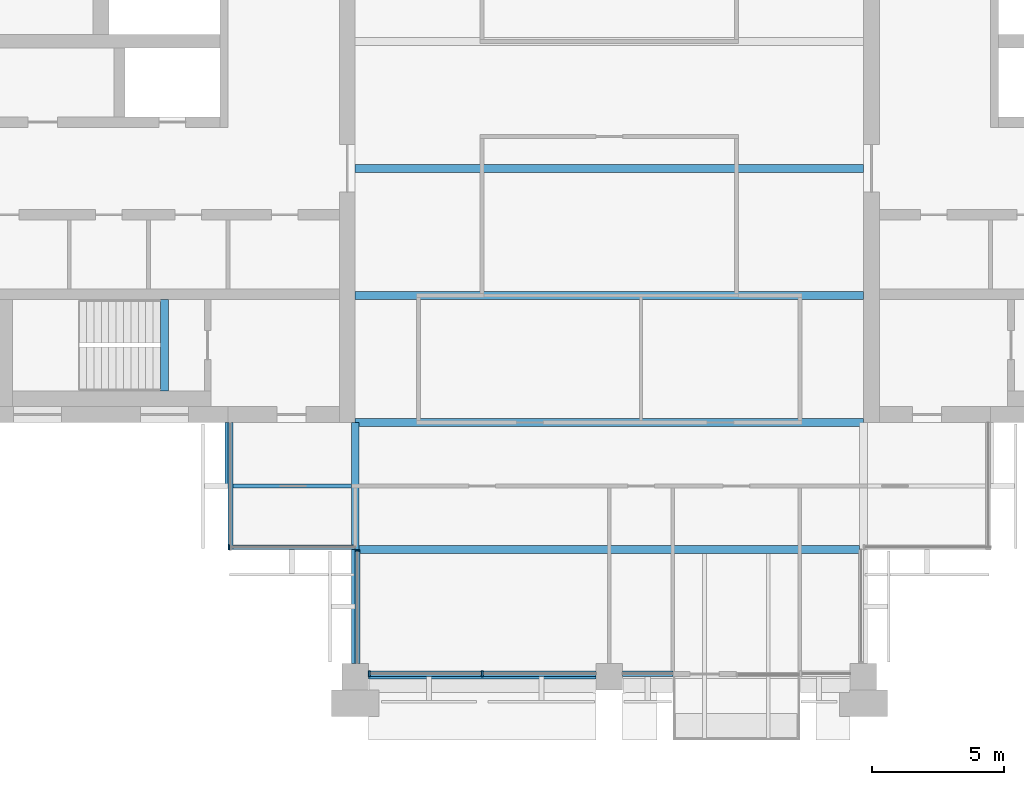
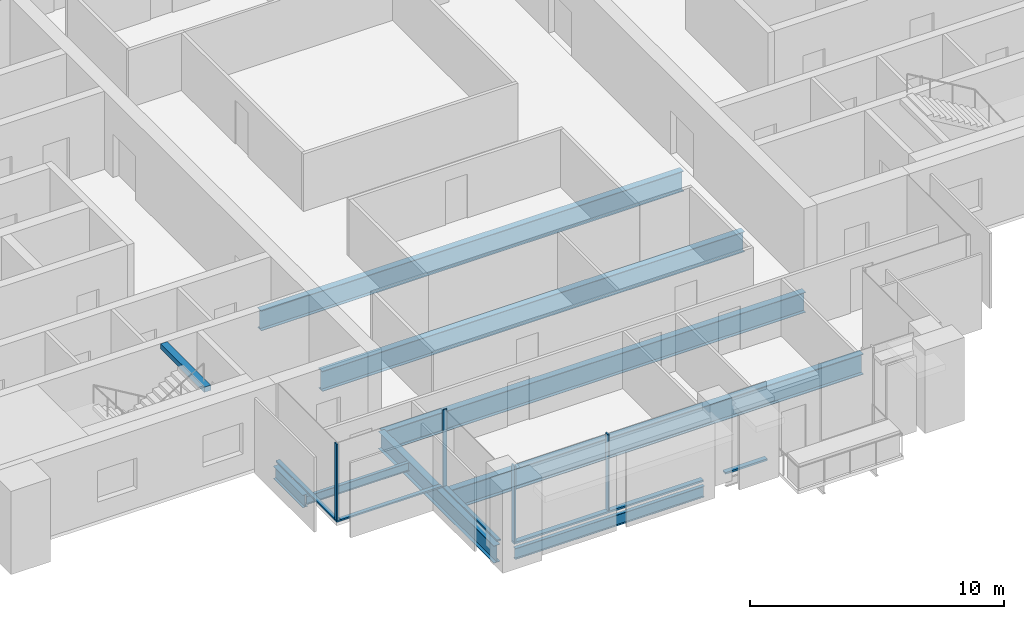
# One storey, part 2 of 13: 9 beams, 9 members, 4 elements without a shape of their own.
"""IFC4 building model written with IfcOpenShell, lengths in metres."""

from ifc_helpers import new_model, si_unit, direction, frame, origin, origin_2d, place, context, subcontext, project, spatial, rectangle, i_section, extrude, material, material_profile, profile_set, type_object, element, aggregate, save


model = new_model("IFC4")

# Units and contexts
model_context = context("Model", 3, precision=1e-05, world=origin(), true_north=direction((0.0, 1.0)))
body_context = subcontext(model_context, "Body", "Model", "MODEL_VIEW")
ifc_project = project(units=[si_unit("LENGTHUNIT", "METRE"), si_unit("AREAUNIT", "SQUARE_METRE"), si_unit("VOLUMEUNIT", "CUBIC_METRE"), si_unit("PLANEANGLEUNIT", "RADIAN"), si_unit("MASSUNIT", "GRAM", prefix="KILO")], contexts=[model_context])

# Site, building, storey
site_placement = place(None, origin())
site = spatial("IfcSite", under=ifc_project, at=site_placement, CompositionType="ELEMENT")
building_placement = place(site_placement, origin())
building = spatial("IfcBuilding", under=site, at=building_placement, Name="Baori Bourse Tower", CompositionType="ELEMENT")
storey_placement = place(building_placement, frame((0.0, 0.0, 350.300048828125)))
storey = spatial("IfcBuildingStorey", under=building, at=storey_placement, Name="L78", CompositionType="ELEMENT", Elevation=350.300048828125)

# Curtain wall, member
ifc_material_1 = material(Name="Pale anodised aluminium", Category="aluminium")
curtain_wall_type_1 = type_object("IfcCurtainWallType", Name="CW2 Curtain wall", PredefinedType="NOTDEFINED", material=ifc_material_1)
curtain_wall_1_placement = place(storey_placement, origin())
curtain_wall_1 = element("IfcCurtainWall", 1, at=curtain_wall_1_placement, inside=storey, type_object=curtain_wall_type_1, Name="Curtain wall CW2 L78 11", PredefinedType="NOTDEFINED")
ifc_material_2 = material(Name="Pale anodised aluminium", Category="aluminium")
ifc_material_profile_1 = material_profile(ifc_material_2, rectangle(XDim=0.179931640625, YDim=0.054931640625, at=origin_2d()), Name="Mullion 55x180")
ifc_profile_set_1 = profile_set([ifc_material_profile_1], Name="Pale anodised aluminium")
member_type_1 = type_object("IfcMemberType", Name="CW2 Curtain wall mullion", PredefinedType="MULLION", material=ifc_profile_set_1)
member_1_placement = place(storey_placement, frame((14.427490234375, 4.889892578125, 0.070068359375), z_axis=(0.0, 0.0, 1.0), x_axis=(0.0, 1.0, 0.0)))
member_1 = element("IfcMember", 2, at=member_1_placement, type_object=member_type_1, Name="Curtain wall CW2 mullion", PredefinedType="MULLION", context=body_context, shape_type="SweptSolid", body=[
    extrude(rectangle(XDim=0.179931640625, YDim=0.054931640625, at=origin_2d()), origin(), (0.0, 0.0, 1.0), 3.679931640625),
])

curtain_wall_2_placement = place(storey_placement, origin())
curtain_wall_2 = element("IfcCurtainWall", 3, at=curtain_wall_2_placement, inside=storey, type_object=curtain_wall_type_1, Name="Curtain wall CW2 L78 12", PredefinedType="NOTDEFINED")
member_2_placement = place(storey_placement, frame((19.2900390625, 4.7724609375, 0.070068359375), z_axis=(0.0, 0.0, 1.0), x_axis=(1.0, 0.0, 0.0)))
member_2 = element("IfcMember", 4, at=member_2_placement, type_object=member_type_1, Name="Curtain wall CW2 mullion", PredefinedType="MULLION", context=body_context, shape_type="SweptSolid", body=[
    extrude(rectangle(XDim=0.179931640625, YDim=0.054931640625, at=origin_2d()), origin(), (0.0, 0.0, 1.0), 3.679931640625),
])

curtain_wall_3_placement = place(storey_placement, origin())
curtain_wall_3 = element("IfcCurtainWall", 5, at=curtain_wall_3_placement, inside=storey, type_object=curtain_wall_type_1, Name="Curtain wall CW2 L78 10", PredefinedType="NOTDEFINED")
ifc_material_3 = material(Name="Pale anodised aluminium", Category="aluminium")
ifc_material_profile_2 = material_profile(ifc_material_3, rectangle(XDim=0.179931640625, YDim=0.070068359375, at=origin_2d()), Name="Transom 70x180")
ifc_profile_set_2 = profile_set([ifc_material_profile_2], Name="Pale anodised aluminium")
member_type_2 = type_object("IfcMemberType", Name="CW2 Curtain wall transom", PredefinedType="USERDEFINED", material=ifc_profile_set_2)
member_3_placement = place(storey_placement, frame((14.489990234375, 9.60009765625, 0.034912109375), z_axis=(0.0, -1.0, 0.0), x_axis=(1.0, 0.0, 0.0)))
member_3 = element("IfcMember", 6, at=member_3_placement, type_object=member_type_2, Name="Curtain wall CW2 sill rail", ObjectType="TRANSOM", PredefinedType="USERDEFINED", context=body_context, shape_type="SweptSolid", body=[
    extrude(rectangle(XDim=0.179931640625, YDim=0.070068359375, at=origin_2d()), origin(), (0.0, 0.0, 1.0), 4.800048828125),
])
aggregate(curtain_wall_3, [member_3])

# Member
member_4_placement = place(storey_placement, frame((14.39990234375, 4.889892578125, 0.034912109375), z_axis=(1.0, 0.0, 0.0), x_axis=(0.0, 1.0, 0.0)))
member_4 = element("IfcMember", 7, at=member_4_placement, type_object=member_type_2, Name="Curtain wall CW2 sill rail", ObjectType="TRANSOM", PredefinedType="USERDEFINED", context=body_context, shape_type="SweptSolid", body=[
    extrude(rectangle(XDim=0.179931640625, YDim=0.070068359375, at=origin_2d()), origin(), (0.0, 0.0, 1.0), 4.800048828125),
])

aggregate(curtain_wall_1, [member_4, member_1])

member_5_placement = place(storey_placement, frame((19.2900390625, 4.800048828125, 0.034912109375), z_axis=(0.0, -1.0, 0.0), x_axis=(1.0, 0.0, 0.0)))
member_5 = element("IfcMember", 8, at=member_5_placement, type_object=member_type_2, Name="Curtain wall CW2 sill rail", ObjectType="TRANSOM", PredefinedType="USERDEFINED", context=body_context, shape_type="SweptSolid", body=[
    extrude(rectangle(XDim=0.179931640625, YDim=0.070068359375, at=origin_2d()), origin(), (0.0, 0.0, 1.0), 4.300048828125),
])

aggregate(curtain_wall_2, [member_5, member_2])

# Curtain wall, members
ifc_material_4 = material(Name="Pale anodised aluminium", Category="aluminium")
curtain_wall_type_2 = type_object("IfcCurtainWallType", Name="CW5 Curtain wall", PredefinedType="NOTDEFINED", material=ifc_material_4)
curtain_wall_4_placement = place(storey_placement, origin())
curtain_wall_4 = element("IfcCurtainWall", 9, at=curtain_wall_4_placement, inside=storey, type_object=curtain_wall_type_2, Name="Curtain wall CW5 L78 13", PredefinedType="NOTDEFINED")
ifc_material_5 = material(Name="Pale anodised aluminium", Category="aluminium")
ifc_material_profile_3 = material_profile(ifc_material_5, rectangle(XDim=0.219970703125, YDim=0.06494140625, at=origin_2d()), Name="Mullion 65x220")
ifc_profile_set_3 = profile_set([ifc_material_profile_3], Name="Pale anodised aluminium")
member_type_3 = type_object("IfcMemberType", Name="CW5 Curtain wall mullion", PredefinedType="MULLION", material=ifc_profile_set_3)
member_6_placement = place(storey_placement, frame((19.732421875, 0.110107421875, 0.0849609375), z_axis=(0.0, 0.0, 1.0), x_axis=(0.0, 1.0, 0.0)))
member_6 = element("IfcMember", 10, at=member_6_placement, type_object=member_type_3, Name="Curtain wall CW5 mullion", PredefinedType="MULLION", context=body_context, shape_type="SweptSolid", body=[
    extrude(rectangle(XDim=0.219970703125, YDim=0.06494140625, at=origin_2d()), origin(), (0.0, 0.0, 1.0), 3.6650390625),
])
member_7_placement = place(storey_placement, frame((24.0, 0.110107421875, 0.0849609375), z_axis=(0.0, 0.0, 1.0), x_axis=(0.0, 1.0, 0.0)))
member_7 = element("IfcMember", 11, at=member_7_placement, type_object=member_type_3, Name="Curtain wall CW5 mullion", PredefinedType="MULLION", context=body_context, shape_type="SweptSolid", body=[
    extrude(rectangle(XDim=0.219970703125, YDim=0.06494140625, at=origin_2d()), origin(), (0.0, 0.0, 1.0), 3.6650390625),
])
ifc_material_6 = material(Name="Pale anodised aluminium", Category="aluminium")
ifc_material_profile_4 = material_profile(ifc_material_6, rectangle(XDim=0.219970703125, YDim=0.0849609375, at=origin_2d()), Name="Transom 85x220")
ifc_profile_set_4 = profile_set([ifc_material_profile_4], Name="Pale anodised aluminium")
member_type_4 = type_object("IfcMemberType", Name="CW5 Curtain wall transom", PredefinedType="USERDEFINED", material=ifc_profile_set_4)
member_8_placement = place(storey_placement, frame((19.699951171875, 0.110107421875, 0.04248046875), z_axis=(1.0, 0.0, 0.0), x_axis=(0.0, 1.0, 0.0)))
member_8 = element("IfcMember", 12, at=member_8_placement, type_object=member_type_4, Name="Curtain wall CW5 sill rail", ObjectType="TRANSOM", PredefinedType="USERDEFINED", context=body_context, shape_type="SweptSolid", body=[
    extrude(rectangle(XDim=0.219970703125, YDim=0.0849609375, at=origin_2d()), origin(), (0.0, 0.0, 1.0), 8.60009765625),
])
member_9_placement = place(storey_placement, frame((29.300048828125, 0.110107421875, 0.04248046875), z_axis=(1.0, 0.0, 0.0), x_axis=(0.0, 1.0, 0.0)))
member_9 = element("IfcMember", 13, at=member_9_placement, type_object=member_type_4, Name="Curtain wall CW5 sill rail", ObjectType="TRANSOM", PredefinedType="USERDEFINED", context=body_context, shape_type="SweptSolid", body=[
    extrude(rectangle(XDim=0.219970703125, YDim=0.0849609375, at=origin_2d()), origin(), (0.0, 0.0, 1.0), 1.89990234375),
])
aggregate(curtain_wall_4, [member_8, member_6, member_7, member_9])

# Beams
ifc_material_7 = material(Name="Steel A992 Gr 50", Category="steel")
ifc_material_profile_5 = material_profile(ifc_material_7, i_section(OverallWidth=0.227783203125, OverallDepth=0.60205078125, WebThickness=0.010498046875, FlangeThickness=0.014892578125, at=origin_2d()), Name="W24x68")
ifc_profile_set_5 = profile_set([ifc_material_profile_5], Name="Steel A992 Gr 50")
beam_type_1 = type_object("IfcBeamType", Name="Core bracket W24x68", PredefinedType="BEAM", material=ifc_profile_set_5)
beam_1_placement = place(storey_placement, frame((14.39990234375, 7.270263671875, -0.4609375), z_axis=(0.0, 1.0, 0.0), x_axis=(-1.0, 0.0, 0.0)))
element("IfcBeam", 14, at=beam_1_placement, inside=storey, type_object=beam_type_1, Name="Core bracket L78", PredefinedType="BEAM", context=body_context, shape_type="SweptSolid", body=[
    extrude(i_section(OverallWidth=0.227783203125, OverallDepth=0.60205078125, WebThickness=0.010498046875, FlangeThickness=0.014892578125, at=origin_2d()), origin(), (0.0, 0.0, 1.0), 2.329833984375),
])
ifc_material_8 = material(Name="Steel A992 Gr 50", Category="steel")
ifc_material_profile_6 = material_profile(ifc_material_8, i_section(OverallWidth=0.1650390625, OverallDepth=0.52587890625, WebThickness=0.0087890625, FlangeThickness=0.011474609375, at=origin_2d()), Name="W21x44")
ifc_profile_set_6 = profile_set([ifc_material_profile_6], Name="Steel A992 Gr 50")
beam_type_2 = type_object("IfcBeamType", Name="Edge beam W21x44", PredefinedType="BEAM", material=ifc_profile_set_6)
beam_2_placement = place(storey_placement, frame((19.699951171875, 0.0, -0.4228515625), z_axis=(1.0, 0.0, 0.0), x_axis=(0.0, 1.0, 0.0)))
element("IfcBeam", 15, at=beam_2_placement, inside=storey, type_object=beam_type_2, Name="Edge beam L78", PredefinedType="BEAM", context=body_context, shape_type="SweptSolid", body=[
    extrude(i_section(OverallWidth=0.1650390625, OverallDepth=0.52587890625, WebThickness=0.0087890625, FlangeThickness=0.011474609375, at=origin_2d()), origin(), (0.0, 0.0, 1.0), 8.60009765625),
])
ifc_material_9 = material(Name="Steel A992 Gr 50", Category="steel")
ifc_material_profile_7 = material_profile(ifc_material_9, i_section(OverallWidth=0.2998046875, OverallDepth=0.97021484375, WebThickness=0.01611328125, FlangeThickness=0.02099609375, at=origin_2d()), Name="W40x149")
ifc_profile_set_7 = profile_set([ifc_material_profile_7], Name="Steel A992 Gr 50")
beam_type_3 = type_object("IfcBeamType", Name="Floor beam W40x149", PredefinedType="BEAM", material=ifc_profile_set_7)
for number, where, z_axis, x_axis, name in (
    (16, (19.199951171875, 9.60009765625, -0.645263671875), (1.0, 0.0, 0.0), (0.0, 1.0, 0.0), "Floor beam L78"),
    (17, (19.199951171875, 14.39990234375, -0.645263671875), (1.0, 0.0, 0.0), (0.0, 1.0, 0.0), "Floor beam L78"),
    (18, (19.199951171875, 19.199951171875, -0.645263671875), (1.0, 0.0, 0.0), (0.0, 1.0, 0.0), "Floor beam L78"),
):
    element("IfcBeam", number, at=place(storey_placement, frame(where, z_axis=z_axis, x_axis=x_axis)), inside=storey, type_object=beam_type_3, Name=name, PredefinedType="BEAM", context=body_context, shape_type="SweptSolid", body=[
        extrude(i_section(OverallWidth=0.2998046875, OverallDepth=0.97021484375, WebThickness=0.01611328125, FlangeThickness=0.02099609375, at=origin_2d()), origin(), (0.0, 0.0, 1.0), 19.199951171875),
    ])
ifc_material_10 = material(Name="Steel A992 Gr 50", Category="steel")
ifc_material_profile_8 = material_profile(ifc_material_10, i_section(OverallWidth=0.2998046875, OverallDepth=0.990478515625, WebThickness=0.0166015625, FlangeThickness=0.030517578125, at=origin_2d()), Name="W40x183")
ifc_profile_set_8 = profile_set([ifc_material_profile_8], Name="Steel A992 Gr 50")
beam_type_4 = type_object("IfcBeamType", Name="Floor beam W40x183", PredefinedType="BEAM", material=ifc_profile_set_8)
beam_3_placement = place(storey_placement, frame((19.345947265625, 4.800048828125, -0.6552734375), z_axis=(1.0, 0.0, 0.0), x_axis=(0.0, 1.0, 0.0)))
element("IfcBeam", 19, at=beam_3_placement, inside=storey, type_object=beam_type_4, Name="Floor beam L78", PredefinedType="BEAM", context=body_context, shape_type="SweptSolid", body=[
    extrude(i_section(OverallWidth=0.2998046875, OverallDepth=0.990478515625, WebThickness=0.0166015625, FlangeThickness=0.030517578125, at=origin_2d()), origin(), (0.0, 0.0, 1.0), 18.901611328125),
])
ifc_material_11 = material(Name="Steel A992 Gr 50", Category="steel")
ifc_material_profile_9 = material_profile(ifc_material_11, i_section(OverallWidth=0.2919921875, OverallDepth=0.835693359375, WebThickness=0.013916015625, FlangeThickness=0.018798828125, at=origin_2d()), Name="W33x118")
ifc_profile_set_9 = profile_set([ifc_material_profile_9], Name="Steel A992 Gr 50")
beam_type_5 = type_object("IfcBeamType", Name="Girder W33x118", PredefinedType="BEAM", material=ifc_profile_set_9)
beam_4_placement = place(storey_placement, frame((19.199951171875, 0.5, -0.577880859375), z_axis=(0.0, 1.0, 0.0), x_axis=(-1.0, 0.0, 0.0)))
element("IfcBeam", 20, at=beam_4_placement, inside=storey, type_object=beam_type_5, Name="Girder L78", PredefinedType="BEAM", context=body_context, shape_type="SweptSolid", body=[
    extrude(i_section(OverallWidth=0.2919921875, OverallDepth=0.835693359375, WebThickness=0.013916015625, FlangeThickness=0.018798828125, at=origin_2d()), origin(), (0.0, 0.0, 1.0), 9.10009765625),
])
ifc_material_12 = material(Name="Concrete f'c 50 MPa", Category="concrete")
ifc_material_profile_10 = material_profile(ifc_material_12, rectangle(XDim=0.300048828125, YDim=0.25, at=origin_2d()), Name="RC 300x250")
ifc_profile_set_10 = profile_set([ifc_material_profile_10], Name="Concrete f'c 50 MPa")
beam_type_6 = type_object("IfcBeamType", Name="Stair nib beam RC 300x250", PredefinedType="BEAM", material=ifc_profile_set_10)
beam_5_placement = place(storey_placement, frame((12.0, 10.800048828125, 3.625), z_axis=(0.0, 1.0, 0.0), x_axis=(-1.0, 0.0, 0.0)))
element("IfcBeam", 21, at=beam_5_placement, inside=storey, type_object=beam_type_6, Name="Stair WA nib beam L79", PredefinedType="BEAM", context=body_context, shape_type="SweptSolid", body=[
    extrude(rectangle(XDim=0.300048828125, YDim=0.25, at=origin_2d()), origin(), (0.0, 0.0, 1.0), 3.449951171875),
])
ifc_material_13 = material(Name="Steel A992 Gr 50", Category="steel")
ifc_material_profile_11 = material_profile(ifc_material_13, i_section(OverallWidth=0.140380859375, OverallDepth=0.40380859375, WebThickness=0.007080078125, FlangeThickness=0.01123046875, at=origin_2d()), Name="W16x31")
ifc_profile_set_11 = profile_set([ifc_material_profile_11], Name="Steel A992 Gr 50")
beam_type_7 = type_object("IfcBeamType", Name="Trimmer beam W16x31", PredefinedType="BEAM", material=ifc_profile_set_11)
beam_6_placement = place(storey_placement, frame((14.39990234375, 7.199951171875, -0.362060546875), z_axis=(1.0, 0.0, 0.0), x_axis=(0.0, 1.0, 0.0)))
element("IfcBeam", 22, at=beam_6_placement, inside=storey, type_object=beam_type_7, Name="Trimmer beam L78", PredefinedType="BEAM", context=body_context, shape_type="SweptSolid", body=[
    extrude(i_section(OverallWidth=0.140380859375, OverallDepth=0.40380859375, WebThickness=0.007080078125, FlangeThickness=0.01123046875, at=origin_2d()), origin(), (0.0, 0.0, 1.0), 4.654052734375),
])

save(model, "model.ifc")
